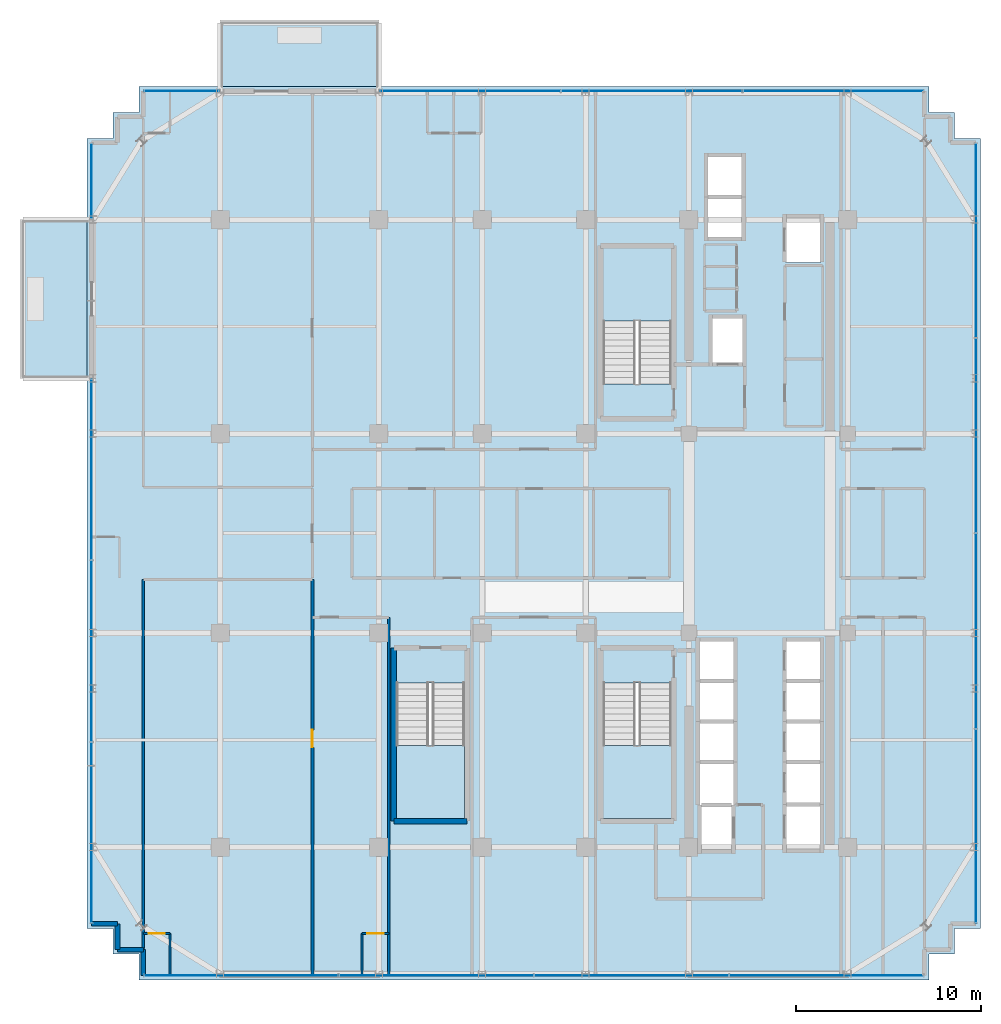
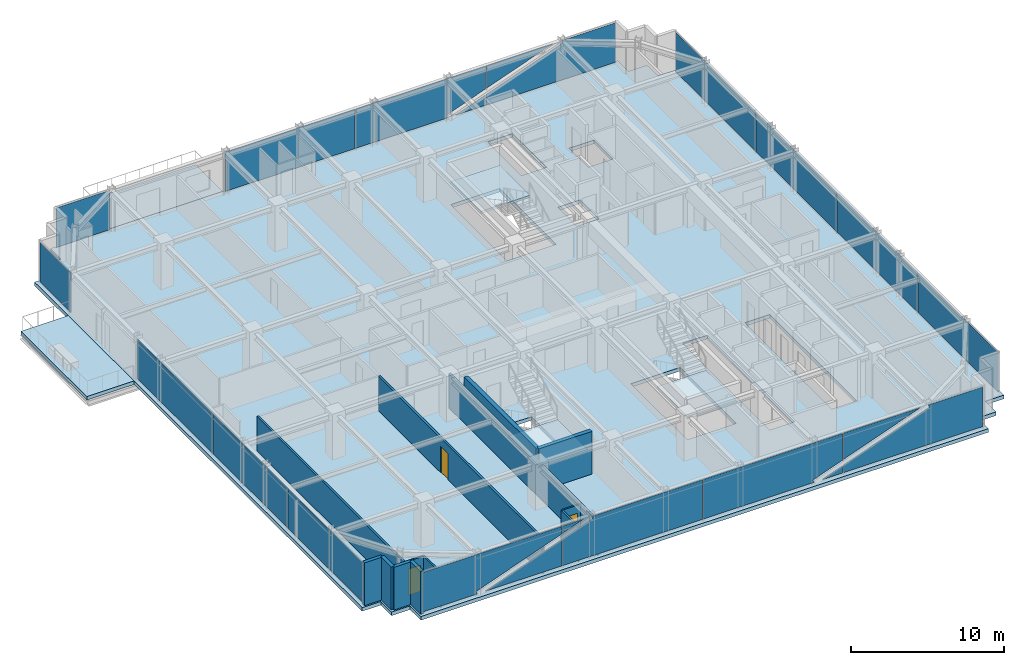
# One storey, part 28 of 36: 16 plates, 13 walls, 6 slabs, 3 doors, 3 openings, 9 elements without a shape of their own.
"""IFC4 building model written with IfcOpenShell, lengths in metres."""

import ifcopenshell
import ifcopenshell.guid

model = None  # the IFC model being written
_history = None  # IfcOwnerHistory: only IFC2X3 demands one
_inside = {}  # id of a spatial element -> (the spatial element, [elements in it])
_under = {}  # id of a project, library or spatial element -> (it, [spatial elements below it])
_declared = {}  # id of a project -> (the project, [libraries it declares])
_typed = {}  # id of a type object -> (the type object, [elements of that type])
_made_of = {}  # id of a material, layer set ... -> (it, [elements and type objects made of it])


def new_model(schema):
    """Start an empty IFC model of exactly this schema.

    Asked for "IFC4X3", IfcOpenShell would pick the latest addendum, in which some entities
    have other attributes; the version numbers below select the first issue.
    IFC2X3 requires an IfcOwnerHistory on every rooted entity: one is made here for all.
    """
    global model, _history
    if schema == "IFC4X3":
        model = ifcopenshell.file(schema_version=(4, 3, 0, 0))
    else:
        model = ifcopenshell.file(schema=schema)
    _inside.clear()
    _under.clear()
    _declared.clear()
    _typed.clear()
    _made_of.clear()
    _history = None
    if model.schema == "IFC2X3":
        org = make("IfcOrganization", Name="unknown")
        user = make(
            "IfcPersonAndOrganization",
            ThePerson=make("IfcPerson", FamilyName="unknown"),
            TheOrganization=org,
        )
        app = make(
            "IfcApplication",
            ApplicationDeveloper=org,
            Version="unknown",
            ApplicationFullName="unknown",
            ApplicationIdentifier="unknown",
        )
        _history = make(
            "IfcOwnerHistory",
            OwningUser=user,
            OwningApplication=app,
            ChangeAction="ADDED",
            CreationDate=0,
        )
    return model


def make(cls, **values):
    """One entity of the class cls with the attributes given. An attribute that is None is left unset."""
    return model.create_entity(
        cls, **{name: value for name, value in values.items() if value is not None}
    )


def rooted(cls, **values):
    """An entity with a GlobalId (a new one), such as an element, a storey or a relation."""
    return make(cls, GlobalId=ifcopenshell.guid.new(), OwnerHistory=_history, **values)


def si_unit(unit_type, name, prefix=None):
    """IfcSIUnit, for example si_unit("LENGTHUNIT", "METRE", prefix="MILLI")."""
    return make("IfcSIUnit", UnitType=unit_type, Prefix=prefix, Name=name)


def assignment(units):
    """IfcUnitAssignment: the units of a project."""
    return None if units is None else make("IfcUnitAssignment", Units=units)


def point(xyz):
    """IfcCartesianPoint."""
    return None if xyz is None else make("IfcCartesianPoint", Coordinates=xyz)


def direction(xyz):
    """IfcDirection."""
    return None if xyz is None else make("IfcDirection", DirectionRatios=xyz)


def frame(location, z_axis=None, x_axis=None):
    """IfcAxis2Placement3D, a coordinate frame: its origin and axes. An axis left out is left unset."""
    return make(
        "IfcAxis2Placement3D",
        Location=point(location),
        Axis=direction(z_axis),
        RefDirection=direction(x_axis),
    )


def frame_2d(location, x_axis=None):
    """IfcAxis2Placement2D, a coordinate frame in the plane: its origin and x axis."""
    return make(
        "IfcAxis2Placement2D", Location=point(location), RefDirection=direction(x_axis)
    )


def origin():
    """The frame at (0, 0, 0) with its axes left unset."""
    return frame((0.0, 0.0, 0.0))


def origin_2d():
    """The frame at (0, 0) in the plane with its x axis left unset."""
    return frame_2d((0.0, 0.0))


def place(relative_to, where):
    """IfcLocalPlacement: puts the frame where relative to a parent placement (None: the world)."""
    return make(
        "IfcLocalPlacement", PlacementRelTo=relative_to, RelativePlacement=where
    )


def context(
    kind, dimensions, precision=None, world=None, true_north=None, identifier=None
):
    """IfcGeometricRepresentationContext, for example the 3D "Model" context."""
    return make(
        "IfcGeometricRepresentationContext",
        ContextIdentifier=identifier,
        ContextType=kind,
        CoordinateSpaceDimension=dimensions,
        Precision=precision,
        WorldCoordinateSystem=world,
        TrueNorth=true_north,
    )


def subcontext(parent, identifier, kind, view, scale=None):
    """IfcGeometricRepresentationSubContext, for example "Body" below "Model"."""
    return make(
        "IfcGeometricRepresentationSubContext",
        ContextIdentifier=identifier,
        ContextType=kind,
        ParentContext=parent,
        TargetScale=scale,
        TargetView=view,
    )


def project(units=None, contexts=None):
    """IfcProject with its units and contexts."""
    return rooted(
        "IfcProject",
        Name="project",
        RepresentationContexts=contexts,
        UnitsInContext=assignment(units),
    )


def spatial(cls, under=None, at=None, **own):
    """A site, building, storey or space (cls), placed at a placement, below another one or the project."""
    s = rooted(cls, ObjectPlacement=at, **own)
    if under is not None:
        _under.setdefault(under.id(), (under, []))[1].append(s)
    return s


def polyline(points):
    """IfcPolyline through the points."""
    return make("IfcPolyline", Points=[point(p) for p in points])


def profile(cls, at=None, kind="AREA", **sizes):
    """A parametric profile (cls). Its sizes go by their IFC names, for example OverallWidth=200.0."""
    return make(cls, ProfileType=kind, Position=at, **sizes)


def rectangle(**sizes):
    """IfcRectangleProfileDef."""
    return profile("IfcRectangleProfileDef", **sizes)


def outline(outer, holes=None, kind="AREA"):
    """IfcArbitraryClosedProfileDef: a profile drawn as a closed curve; with holes, ...WithVoids."""
    if holes is None:
        return make("IfcArbitraryClosedProfileDef", ProfileType=kind, OuterCurve=outer)
    return make(
        "IfcArbitraryProfileDefWithVoids",
        ProfileType=kind,
        OuterCurve=outer,
        InnerCurves=holes,
    )


def extrude(swept, where, along, depth):
    """IfcExtrudedAreaSolid: the profile swept, set in the frame where, extruded along a direction by depth."""
    return make(
        "IfcExtrudedAreaSolid",
        SweptArea=swept,
        Position=where,
        ExtrudedDirection=direction(along),
        Depth=depth,
    )


def shape(context_of_items, identifier, shape_type, items):
    """IfcShapeRepresentation: the items that make up one representation, for example the "Body"."""
    return make(
        "IfcShapeRepresentation",
        ContextOfItems=context_of_items,
        RepresentationIdentifier=identifier,
        RepresentationType=shape_type,
        Items=items,
    )


def source(mapping_origin, context_of_items, identifier, shape_type, items):
    """IfcRepresentationMap: a shape defined once, which mapped items show again and again."""
    return make(
        "IfcRepresentationMap",
        MappingOrigin=mapping_origin,
        MappedRepresentation=shape(context_of_items, identifier, shape_type, items),
    )


def transform(
    local_origin,
    x_axis=None,
    y_axis=None,
    z_axis=None,
    scale=None,
    scale2=None,
    scale3=None,
    uniform=True,
):
    """IfcCartesianTransformationOperator3D, or its non-uniform kind. x_axis, y_axis, z_axis: its Axis1, 2, 3."""
    if uniform:
        return make(
            "IfcCartesianTransformationOperator3D",
            Axis1=direction(x_axis),
            Axis2=direction(y_axis),
            LocalOrigin=point(local_origin),
            Scale=scale,
            Axis3=direction(z_axis),
        )
    return make(
        "IfcCartesianTransformationOperator3DnonUniform",
        Axis1=direction(x_axis),
        Axis2=direction(y_axis),
        LocalOrigin=point(local_origin),
        Scale=scale,
        Axis3=direction(z_axis),
        Scale2=scale2,
        Scale3=scale3,
    )


def mapped(mapping_source, mapping_target):
    """IfcMappedItem: shows the shape of a source again, moved by a transform."""
    return make(
        "IfcMappedItem", MappingSource=mapping_source, MappingTarget=mapping_target
    )


def material(Name=None, Category=None):
    """IfcMaterial."""
    return make("IfcMaterial", Name=Name, Category=Category)


def layer(
    of_material, thickness, ventilated=None, Name=None, Category=None, Priority=None
):
    """IfcMaterialLayer: one layer of a wall or slab, of a material (None: an air gap)."""
    return make(
        "IfcMaterialLayer",
        Material=of_material,
        LayerThickness=thickness,
        IsVentilated=ventilated,
        Name=Name,
        Category=Category,
        Priority=Priority,
    )


def layer_set(layers, Name=None):
    """IfcMaterialLayerSet."""
    return make("IfcMaterialLayerSet", MaterialLayers=layers, LayerSetName=Name)


def made_of(thing, what):
    """Note that an element or type object is made of a material, layer set ...; save() writes the relation."""
    if what is not None:
        _made_of.setdefault(what.id(), (what, []))[1].append(thing)
    return thing


def type_object(cls, material=None, **own):
    """A type object (cls), such as IfcWallType, which elements share."""
    return made_of(rooted(cls, **own), material)


def element(
    cls,
    number,
    at=None,
    inside=None,
    cuts=None,
    type_object=None,
    material=None,
    context=None,
    identifier="Body",
    shape_type=None,
    held_by="IfcProductDefinitionShape",
    body=None,
    shapes=None,
    **own,
):
    """One element of the class cls, such as IfcWall. Its Tag is "e" and its number.

    at: its placement. inside: the storey or other place that contains it. cuts: it is an
    opening in that element (IfcRelVoidsElement). A single representation is given by context,
    identifier, shape_type and body (its items); several are given by shapes. held_by: the class
    of the entity that holds the representations. save() writes the other relations.
    """
    e = rooted(cls, Tag="e%d" % number, ObjectPlacement=at, **own)
    if body is not None:
        shapes = [shape(context, identifier, shape_type, body)]
    if shapes is not None:
        e.Representation = make(held_by, Representations=shapes)
    if inside is not None:
        _inside.setdefault(inside.id(), (inside, []))[1].append(e)
    if cuts is not None:
        rooted(
            "IfcRelVoidsElement", RelatingBuildingElement=cuts, RelatedOpeningElement=e
        )
    if type_object is not None:
        _typed.setdefault(type_object.id(), (type_object, []))[1].append(e)
    return made_of(e, material)


def fill(opening, filler):
    """IfcRelFillsElement: the door or window that sits in an opening."""
    return rooted(
        "IfcRelFillsElement",
        RelatingOpeningElement=opening,
        RelatedBuildingElement=filler,
    )


def aggregate(whole, parts):
    """IfcRelAggregates: a whole, such as a stair, and the parts it consists of."""
    return rooted("IfcRelAggregates", RelatingObject=whole, RelatedObjects=parts)


def save(model, path):
    """Write the relations noted so far, then the file.

    IfcRelAggregates (storeys below a building ...), IfcRelContainedInSpatialStructure (elements
    in a storey), IfcRelDefinesByType, IfcRelAssociatesMaterial and IfcRelDeclares: one each for
    every whole, place, type object, material and project.
    """
    for whole, parts in _under.values():
        aggregate(whole, parts)
    for where, things in _inside.values():
        rooted(
            "IfcRelContainedInSpatialStructure",
            RelatedElements=things,
            RelatingStructure=where,
        )
    for kind, things in _typed.values():
        rooted("IfcRelDefinesByType", RelatedObjects=things, RelatingType=kind)
    for what, things in _made_of.values():
        rooted("IfcRelAssociatesMaterial", RelatedObjects=things, RelatingMaterial=what)
    for by, libraries in _declared.values():
        rooted("IfcRelDeclares", RelatingContext=by, RelatedDefinitions=libraries)
    model.write(path)


model = new_model("IFC4")

# Units and contexts
model_context = context("Model", 3, precision=1e-05, world=origin(), true_north=direction((0.0, 1.0)))
body_context = subcontext(model_context, "Body", "Model", "MODEL_VIEW")
ifc_project = project(units=[si_unit("LENGTHUNIT", "METRE"), si_unit("AREAUNIT", "SQUARE_METRE"), si_unit("VOLUMEUNIT", "CUBIC_METRE"), si_unit("PLANEANGLEUNIT", "RADIAN"), si_unit("MASSUNIT", "GRAM", prefix="KILO")], contexts=[model_context])

# Site, building, storey
site_placement = place(None, origin())
site = spatial("IfcSite", under=ifc_project, at=site_placement, CompositionType="ELEMENT")
building_placement = place(site_placement, origin())
building = spatial("IfcBuilding", under=site, at=building_placement, Name="Nahalor Promenade Grand Hotel", CompositionType="ELEMENT")
storey_placement = place(building_placement, frame((0.0, 0.0, 212.300048828125)))
storey = spatial("IfcBuildingStorey", under=building, at=storey_placement, Name="L54", CompositionType="ELEMENT", Elevation=212.300048828125)

# Curtain wall, plates
ifc_material_1 = material(Name="Anodised Bronze Aluminium EN AW-6063 T6", Category="aluminium")
curtain_wall_type = type_object("IfcCurtainWallType", Name="CW2 Typical Hotel Flush Bronze Unitised Curtain Wall", PredefinedType="USERDEFINED", material=ifc_material_1)
curtain_wall_1_placement = place(storey_placement, origin())
curtain_wall_1 = element("IfcCurtainWall", 1, at=curtain_wall_1_placement, inside=storey, type_object=curtain_wall_type, Name="L54 Curtain Wall CW-L54-S-1", ObjectType="UNITISED_CURTAIN_WALL", PredefinedType="USERDEFINED")
ifc_material_2 = material(Name="Low-E Laminated Solar Glass", Category="glass")
ifc_layer_1 = layer(ifc_material_2, 0.028076171875)
ifc_layer_set_1 = layer_set([ifc_layer_1], Name="Low-E Laminated Solar Glass")
plate_type = type_object("IfcPlateType", Name="CWP2 Bronze Low-E Vision IGU 28mm", PredefinedType="CURTAIN_PANEL", material=ifc_layer_set_1)
plate_1_placement = place(storey_placement, frame((-15.853759765625, -23.9599609375, 0.1298828125), z_axis=(0.0, 0.0, 1.0), x_axis=(1.0, 0.0, 0.0)))
plate_1 = element("IfcPlate", 2, at=plate_1_placement, type_object=plate_type, Name="CW-L54-S-1 Glazing Panel 0-0", PredefinedType="CURTAIN_PANEL", context=body_context, shape_type="SweptSolid", body=[
    extrude(outline(polyline([(-5.2412109375, 3.14990234375), (-5.2412109375, 0.0), (-1.16552734375, 0.0), (-1.246337890625, 0.22314453125), (5.2412109375, 2.569091796875), (5.2412109375, 3.14990234375), (-5.2412109375, 3.14990234375)])), frame((0.0, 0.01416015625, 0.0), z_axis=(0.0, -1.0, 0.0), x_axis=(1.0, 0.0, 0.0)), (0.0, 0.0, 1.0), 0.028076171875),
    extrude(outline(polyline([(-0.5400390625, 0.0), (5.2412109375, 0.0), (5.2412109375, 2.090576171875), (-0.5400390625, 0.0)])), frame((0.0, 0.01416015625, 0.0), z_axis=(0.0, -1.0, 0.0), x_axis=(1.0, 0.0, 0.0)), (0.0, 0.0, 1.0), 0.028076171875),
])
plate_2_placement = place(storey_placement, frame((-5.2900390625, -23.9599609375, 0.1298828125), z_axis=(0.0, 0.0, 1.0), x_axis=(1.0, 0.0, 0.0)))
plate_2 = element("IfcPlate", 3, at=plate_2_placement, type_object=plate_type, Name="CW-L54-S-1 Glazing Panel 1-0", PredefinedType="CURTAIN_PANEL", context=body_context, shape_type="SweptSolid", body=[
    extrude(outline(polyline([(5.257568359375, 0.0), (5.257568359375, 3.14990234375), (-3.090576171875, 3.14990234375), (-3.010009765625, 2.927001953125), (-5.257568359375, 2.1142578125), (-5.257568359375, 0.0), (5.257568359375, 0.0)])), frame((0.0, 0.01416015625, 0.0), z_axis=(0.0, -1.0, 0.0), x_axis=(1.0, 0.0, 0.0)), (0.0, 0.0, 1.0), 0.028076171875),
    extrude(outline(polyline([(-3.71630859375, 3.14990234375), (-5.257568359375, 3.14990234375), (-5.257568359375, 2.5927734375), (-3.71630859375, 3.14990234375)])), frame((0.0, 0.01416015625, 0.0), z_axis=(0.0, -1.0, 0.0), x_axis=(1.0, 0.0, 0.0)), (0.0, 0.0, 1.0), 0.028076171875),
])
plate_3_placement = place(storey_placement, frame((5.2900390625, -23.9599609375, 0.1298828125), z_axis=(0.0, 0.0, 1.0), x_axis=(1.0, 0.0, 0.0)))
plate_3 = element("IfcPlate", 4, at=plate_3_placement, type_object=plate_type, Name="CW-L54-S-1 Glazing Panel 2-0", PredefinedType="CURTAIN_PANEL", context=body_context, shape_type="SweptSolid", body=[
    extrude(outline(polyline([(-5.257568359375, 3.14990234375), (-5.257568359375, 0.0), (3.090576171875, 0.0), (3.010009765625, 0.22314453125), (5.257568359375, 1.035888671875), (5.257568359375, 3.14990234375), (-5.257568359375, 3.14990234375)])), frame((0.0, 0.01416015625, 0.0), z_axis=(0.0, -1.0, 0.0), x_axis=(1.0, 0.0, 0.0)), (0.0, 0.0, 1.0), 0.028076171875),
    extrude(outline(polyline([(3.71630859375, 0.0), (5.257568359375, 0.0), (5.257568359375, 0.557373046875), (3.71630859375, 0.0)])), frame((0.0, 0.01416015625, 0.0), z_axis=(0.0, -1.0, 0.0), x_axis=(1.0, 0.0, 0.0)), (0.0, 0.0, 1.0), 0.028076171875),
])
plate_4_placement = place(storey_placement, frame((15.853759765625, -23.9599609375, 0.1298828125), z_axis=(0.0, 0.0, 1.0), x_axis=(1.0, 0.0, 0.0)))
plate_4 = element("IfcPlate", 5, at=plate_4_placement, type_object=plate_type, Name="CW-L54-S-1 Glazing Panel 3-0", PredefinedType="CURTAIN_PANEL", context=body_context, shape_type="SweptSolid", body=[
    extrude(outline(polyline([(5.2412109375, 0.0), (5.2412109375, 3.14990234375), (1.16552734375, 3.14990234375), (1.246337890625, 2.927001953125), (-5.2412109375, 0.580810546875), (-5.2412109375, 0.0), (5.2412109375, 0.0)])), frame((0.0, 0.01416015625, 0.0), z_axis=(0.0, -1.0, 0.0), x_axis=(1.0, 0.0, 0.0)), (0.0, 0.0, 1.0), 0.028076171875),
    extrude(outline(polyline([(0.5400390625, 3.14990234375), (-5.2412109375, 3.14990234375), (-5.2412109375, 1.059326171875), (0.5400390625, 3.14990234375)])), frame((0.0, 0.01416015625, 0.0), z_axis=(0.0, -1.0, 0.0), x_axis=(1.0, 0.0, 0.0)), (0.0, 0.0, 1.0), 0.028076171875),
])
aggregate(curtain_wall_1, [plate_1, plate_2, plate_3, plate_4])

curtain_wall_2_placement = place(storey_placement, origin())
curtain_wall_2 = element("IfcCurtainWall", 6, at=curtain_wall_2_placement, inside=storey, type_object=curtain_wall_type, Name="L54 Curtain Wall CW-L54-N-3", ObjectType="UNITISED_CURTAIN_WALL", PredefinedType="USERDEFINED")
plate_5_placement = place(storey_placement, frame((6.3798828125, 23.9599609375, 0.1298828125), z_axis=(0.0, 0.0, 1.0), x_axis=(1.0, 0.0, 0.0)))
plate_5 = element("IfcPlate", 7, at=plate_5_placement, type_object=plate_type, Name="CW-L54-N-3 Glazing Panel 1-0", PredefinedType="CURTAIN_PANEL", context=body_context, shape_type="SweptSolid", body=[
    extrude(outline(polyline([(-4.894287109375, 3.14990234375), (-4.894287109375, 0.0), (2.000732421875, 0.0), (1.919921875, 0.22314453125), (4.894287109375, 1.298583984375), (4.894287109375, 3.14990234375), (-4.894287109375, 3.14990234375)])), frame((0.0, 0.01416015625, 0.0), z_axis=(0.0, -1.0, 0.0), x_axis=(1.0, 0.0, 0.0)), (0.0, 0.0, 1.0), 0.028076171875),
    extrude(outline(polyline([(2.626220703125, 0.0), (4.894287109375, 0.0), (4.894287109375, 0.820068359375), (2.626220703125, 0.0)])), frame((0.0, 0.01416015625, 0.0), z_axis=(0.0, -1.0, 0.0), x_axis=(1.0, 0.0, 0.0)), (0.0, 0.0, 1.0), 0.028076171875),
])
plate_6_placement = place(storey_placement, frame((16.217041015625, 23.9599609375, 0.1298828125), z_axis=(0.0, 0.0, 1.0), x_axis=(1.0, 0.0, 0.0)))
plate_6 = element("IfcPlate", 8, at=plate_6_placement, type_object=plate_type, Name="CW-L54-N-3 Glazing Panel 2-0", PredefinedType="CURTAIN_PANEL", context=body_context, shape_type="SweptSolid", body=[
    extrude(outline(polyline([(4.8779296875, 0.0), (4.8779296875, 3.14990234375), (0.80224609375, 3.14990234375), (0.883056640625, 2.927001953125), (-4.8779296875, 0.843505859375), (-4.8779296875, 0.0), (4.8779296875, 0.0)])), frame((0.0, 0.01416015625, 0.0), z_axis=(0.0, -1.0, 0.0), x_axis=(1.0, 0.0, 0.0)), (0.0, 0.0, 1.0), 0.028076171875),
    extrude(outline(polyline([(0.176513671875, 3.14990234375), (-4.8779296875, 3.14990234375), (-4.8779296875, 1.322265625), (0.176513671875, 3.14990234375)])), frame((0.0, 0.01416015625, 0.0), z_axis=(0.0, -1.0, 0.0), x_axis=(1.0, 0.0, 0.0)), (0.0, 0.0, 1.0), 0.028076171875),
])

# Stair, slab
ifc_material_3 = material(Name="Concrete B-50 (C40/50)", Category="concrete")
stair_type_1 = type_object("IfcStairType", Name="Stair-ST1", PredefinedType="HALF_TURN_STAIR", material=ifc_material_3)
stair_1_placement = place(storey_placement, origin())
stair_1 = element("IfcStair", 9, at=stair_1_placement, inside=storey, type_object=stair_type_1, Name="L54 ST1", PredefinedType="HALF_TURN_STAIR")
ifc_layer_2 = layer(ifc_material_3, 0.199951171875)
ifc_layer_set_2 = layer_set([ifc_layer_2], Name="Concrete B-50 (C40/50)")
slab_type_1 = type_object("IfcSlabType", Name="Landing-ST1", PredefinedType="LANDING", material=ifc_layer_set_2)
slab_1_placement = place(storey_placement, frame((0.0, 0.0, 1.64990234375)))
slab_1 = element("IfcSlab", 10, at=slab_1_placement, type_object=slab_type_1, Name="ST1 landing 1", PredefinedType="LANDING", context=body_context, shape_type="SweptSolid", body=[
    extrude(outline(polyline([(7.449951171875, 11.5), (7.449951171875, 15.449951171875), (3.75, 15.449951171875), (3.75, 11.5), (7.449951171875, 11.5)])), origin(), (0.0, 0.0, 1.0), 0.199951171875),
])
aggregate(stair_1, [slab_1])

stair_type_2 = type_object("IfcStairType", Name="Stair-ST2", PredefinedType="HALF_TURN_STAIR", material=ifc_material_3)
stair_2_placement = place(storey_placement, origin())
stair_2 = element("IfcStair", 11, at=stair_2_placement, inside=storey, type_object=stair_type_2, Name="L54 ST2", PredefinedType="HALF_TURN_STAIR")
ifc_layer_3 = layer(ifc_material_3, 0.2099609375)
ifc_layer_set_3 = layer_set([ifc_layer_3], Name="Concrete B-50 (C40/50)")
slab_type_2 = type_object("IfcSlabType", Name="Landing-ST2", PredefinedType="LANDING", material=ifc_layer_set_3)
slab_2_placement = place(storey_placement, frame((0.0, 0.0, 1.639892578125)))
slab_2 = element("IfcSlab", 12, at=slab_2_placement, type_object=slab_type_2, Name="ST2 landing 1", PredefinedType="LANDING", context=body_context, shape_type="SweptSolid", body=[
    extrude(outline(polyline([(3.75, -11.5), (3.75, -15.449951171875), (7.449951171875, -15.449951171875), (7.449951171875, -11.5), (3.75, -11.5)])), origin(), (0.0, 0.0, 1.0), 0.2099609375),
])
aggregate(stair_2, [slab_2])

stair_type_3 = type_object("IfcStairType", Name="Stair-ST3", PredefinedType="HALF_TURN_STAIR", material=ifc_material_3)
stair_3_placement = place(storey_placement, origin())
stair_3 = element("IfcStair", 13, at=stair_3_placement, inside=storey, type_object=stair_type_3, Name="L54 ST3", PredefinedType="HALF_TURN_STAIR")
ifc_layer_4 = layer(ifc_material_3, 0.219970703125)
ifc_layer_set_4 = layer_set([ifc_layer_4], Name="Concrete B-50 (C40/50)")
slab_type_3 = type_object("IfcSlabType", Name="Landing-ST3", PredefinedType="LANDING", material=ifc_layer_set_4)
slab_3_placement = place(storey_placement, frame((0.0, 0.0, 1.6298828125)))
slab_3 = element("IfcSlab", 14, at=slab_3_placement, type_object=slab_type_3, Name="ST3 landing 1", PredefinedType="LANDING", context=body_context, shape_type="SweptSolid", body=[
    extrude(outline(polyline([(-7.449951171875, -11.5), (-7.449951171875, -15.449951171875), (-3.75, -15.449951171875), (-3.75, -11.5), (-7.449951171875, -11.5)])), origin(), (0.0, 0.0, 1.0), 0.219970703125),
])
aggregate(stair_3, [slab_3])

# Slabs
ifc_layer_5 = layer(ifc_material_3, 0.280029296875)
ifc_layer_set_5 = layer_set([ifc_layer_5], Name="Concrete B-50 (C40/50)")
slab_type_4 = type_object("IfcSlabType", Name="Slab-Balcony-280", PredefinedType="FLOOR", material=ifc_layer_set_5)
slab_4_placement = place(storey_placement, frame((0.0, 0.0, -0.280029296875)))
element("IfcSlab", 15, at=slab_4_placement, inside=storey, type_object=slab_type_4, Name="L54 Cantilevered Planted Balcony 1", PredefinedType="FLOOR", context=body_context, shape_type="SweptSolid", body=[
    extrude(outline(polyline([(-17.0, 24.199951171875), (-8.39990234375, 24.199951171875), (-8.39990234375, 27.739990234375), (-17.0, 27.739990234375), (-17.0, 24.199951171875)])), origin(), (0.0, 0.0, 1.0), 0.280029296875),
])
slab_5_placement = place(storey_placement, frame((0.0, 0.0, -0.280029296875)))
element("IfcSlab", 16, at=slab_5_placement, inside=storey, type_object=slab_type_4, Name="L54 Cantilevered Planted Balcony 2", PredefinedType="FLOOR", context=body_context, shape_type="SweptSolid", body=[
    extrude(outline(polyline([(-27.77001953125, 8.39990234375), (-24.199951171875, 8.39990234375), (-24.199951171875, 17.0), (-27.77001953125, 17.0), (-27.77001953125, 8.39990234375)])), origin(), (0.0, 0.0, 1.0), 0.280029296875),
])
ifc_layer_6 = layer(ifc_material_3, 0.2900390625)
ifc_layer_set_6 = layer_set([ifc_layer_6], Name="Concrete B-50 (C40/50)")
slab_type_5 = type_object("IfcSlabType", Name="Slab-TowerZ4-290", PredefinedType="FLOOR", material=ifc_layer_set_6)
slab_6_placement = place(storey_placement, frame((0.0, 0.0, -0.2900390625)))
element("IfcSlab", 17, at=slab_6_placement, inside=storey, type_object=slab_type_5, Name="L54 Suspended Structural Floor Slab", PredefinedType="FLOOR", context=body_context, shape_type="SweptSolid", body=[
    extrude(outline(polyline([(-21.39990234375, -24.199951171875), (21.39990234375, -24.199951171875), (21.39990234375, -22.800048828125), (22.800048828125, -22.800048828125), (22.800048828125, -21.39990234375), (24.199951171875, -21.39990234375), (24.199951171875, 21.39990234375), (22.800048828125, 21.39990234375), (22.800048828125, 22.800048828125), (21.39990234375, 22.800048828125), (21.39990234375, 24.199951171875), (-21.39990234375, 24.199951171875), (-21.39990234375, 22.800048828125), (-22.800048828125, 22.800048828125), (-22.800048828125, 21.39990234375), (-24.199951171875, 21.39990234375), (-24.199951171875, -21.39990234375), (-22.800048828125, -21.39990234375), (-22.800048828125, -22.800048828125), (-21.39990234375, -22.800048828125), (-21.39990234375, -24.199951171875)]), holes=[polyline([(3.75, 8.10009765625), (7.449951171875, 8.10009765625), (7.449951171875, 15.449951171875), (3.75, 15.449951171875), (3.75, 8.10009765625)]), polyline([(3.75, -15.449951171875), (7.449951171875, -15.449951171875), (7.449951171875, -8.10009765625), (3.75, -8.10009765625), (3.75, -15.449951171875)]), polyline([(-7.449951171875, -15.449951171875), (-3.75, -15.449951171875), (-3.75, -8.10009765625), (-7.449951171875, -8.10009765625), (-7.449951171875, -15.449951171875)]), polyline([(13.659912109375, -17.139892578125), (15.5400390625, -17.139892578125), (15.5400390625, -5.81005859375), (13.659912109375, -5.81005859375), (13.659912109375, -17.139892578125)]), polyline([(8.9599609375, -17.18994140625), (10.840087890625, -17.18994140625), (10.840087890625, -5.81005859375), (8.9599609375, -5.81005859375), (8.9599609375, -17.18994140625)]), polyline([(9.409912109375, 16.010009765625), (11.2900390625, 16.010009765625), (11.2900390625, 20.43994140625), (9.409912109375, 20.43994140625), (9.409912109375, 16.010009765625)]), polyline([(9.659912109375, 9.2099609375), (11.340087890625, 9.2099609375), (11.340087890625, 11.68994140625), (9.659912109375, 11.68994140625), (9.659912109375, 9.2099609375)]), polyline([(13.659912109375, 14.659912109375), (15.5400390625, 14.659912109375), (15.5400390625, 17.139892578125), (13.659912109375, 17.139892578125), (13.659912109375, 14.659912109375)])]), origin(), (0.0, 0.0, 1.0), 0.2900390625),
])

# Curtain wall, plates
curtain_wall_3_placement = place(storey_placement, origin())
curtain_wall_3 = element("IfcCurtainWall", 18, at=curtain_wall_3_placement, inside=storey, type_object=curtain_wall_type, Name="L54 Curtain Wall CW-L54-E-1", ObjectType="UNITISED_CURTAIN_WALL", PredefinedType="USERDEFINED")
shared_shape_1 = source(origin(), body_context, "Body", "SweptSolid", [
    extrude(rectangle(XDim=10.482421875, YDim=0.028076171875, at=origin_2d()), origin(), (0.0, 0.0, 1.0), 3.14990234375),
])
plate_7_placement = place(storey_placement, frame((23.9599609375, -15.853759765625, 0.1298828125), z_axis=(0.0, 0.0, 1.0), x_axis=(0.0, 1.0, 0.0)))
plate_7 = element("IfcPlate", 19, at=plate_7_placement, type_object=plate_type, Name="CW-L54-E-1 Glazing Panel 0-0", PredefinedType="CURTAIN_PANEL", context=body_context, shape_type="MappedRepresentation", body=[
    mapped(shared_shape_1, transform((0.0, 0.0, 0.0), scale=1.0)),
])
plate_8_placement = place(storey_placement, frame((23.9599609375, 15.853759765625, 0.1298828125), z_axis=(0.0, 0.0, 1.0), x_axis=(0.0, 1.0, 0.0)))
plate_8 = element("IfcPlate", 20, at=plate_8_placement, type_object=plate_type, Name="CW-L54-E-1 Glazing Panel 3-0", PredefinedType="CURTAIN_PANEL", context=body_context, shape_type="MappedRepresentation", body=[
    mapped(shared_shape_1, transform((0.0, 0.0, 0.0), scale=1.0)),
])
shared_shape_2 = source(origin(), body_context, "Body", "SweptSolid", [
    extrude(rectangle(XDim=10.514892578125, YDim=0.028076171875, at=origin_2d()), origin(), (0.0, 0.0, 1.0), 3.14990234375),
])
plate_9_placement = place(storey_placement, frame((23.9599609375, -5.2900390625, 0.1298828125), z_axis=(0.0, 0.0, 1.0), x_axis=(0.0, 1.0, 0.0)))
plate_9 = element("IfcPlate", 21, at=plate_9_placement, type_object=plate_type, Name="CW-L54-E-1 Glazing Panel 1-0", PredefinedType="CURTAIN_PANEL", context=body_context, shape_type="MappedRepresentation", body=[
    mapped(shared_shape_2, transform((0.0, 0.0, 0.0), scale=1.0)),
])
plate_10_placement = place(storey_placement, frame((23.9599609375, 5.2900390625, 0.1298828125), z_axis=(0.0, 0.0, 1.0), x_axis=(0.0, 1.0, 0.0)))
plate_10 = element("IfcPlate", 22, at=plate_10_placement, type_object=plate_type, Name="CW-L54-E-1 Glazing Panel 2-0", PredefinedType="CURTAIN_PANEL", context=body_context, shape_type="MappedRepresentation", body=[
    mapped(shared_shape_2, transform((0.0, 0.0, 0.0), scale=1.0)),
])
aggregate(curtain_wall_3, [plate_7, plate_9, plate_10, plate_8])

# Curtain wall, plate
curtain_wall_4_placement = place(storey_placement, origin())
curtain_wall_4 = element("IfcCurtainWall", 23, at=curtain_wall_4_placement, inside=storey, type_object=curtain_wall_type, Name="L54 Curtain Wall CW-L54-N-1", ObjectType="UNITISED_CURTAIN_WALL", PredefinedType="USERDEFINED")
shared_shape_3 = source(origin(), body_context, "Body", "SweptSolid", [
    extrude(rectangle(XDim=4.030029296875, YDim=0.028076171875, at=origin_2d()), origin(), (0.0, 0.0, 1.0), 3.14990234375),
])
plate_11_placement = place(storey_placement, frame((-19.080078125, 23.9599609375, 0.1298828125), z_axis=(0.0, 0.0, 1.0), x_axis=(1.0, 0.0, 0.0)))
plate_11 = element("IfcPlate", 24, at=plate_11_placement, type_object=plate_type, Name="CW-L54-N-1 Glazing Panel 0-0", PredefinedType="CURTAIN_PANEL", context=body_context, shape_type="MappedRepresentation", body=[
    mapped(shared_shape_3, transform((0.0, 0.0, 0.0), scale=1.0)),
])
aggregate(curtain_wall_4, [plate_11])

curtain_wall_5_placement = place(storey_placement, origin())
curtain_wall_5 = element("IfcCurtainWall", 25, at=curtain_wall_5_placement, inside=storey, type_object=curtain_wall_type, Name="L54 Curtain Wall CW-L54-W-3", ObjectType="UNITISED_CURTAIN_WALL", PredefinedType="USERDEFINED")
plate_12_placement = place(storey_placement, frame((-23.9599609375, 19.080078125, 0.1298828125), z_axis=(0.0, 0.0, 1.0), x_axis=(0.0, 1.0, 0.0)))
plate_12 = element("IfcPlate", 26, at=plate_12_placement, type_object=plate_type, Name="CW-L54-W-3 Glazing Panel 0-0", PredefinedType="CURTAIN_PANEL", context=body_context, shape_type="MappedRepresentation", body=[
    mapped(shared_shape_3, transform((0.0, 0.0, 0.0), scale=1.0)),
])
aggregate(curtain_wall_5, [plate_12])

# Plate
shared_shape_4 = source(origin(), body_context, "Body", "SweptSolid", [
    extrude(rectangle(XDim=9.755859375, YDim=0.028076171875, at=origin_2d()), origin(), (0.0, 0.0, 1.0), 3.14990234375),
])
plate_13_placement = place(storey_placement, frame((-3.45703125, 23.9599609375, 0.1298828125), z_axis=(0.0, 0.0, 1.0), x_axis=(1.0, 0.0, 0.0)))
plate_13 = element("IfcPlate", 27, at=plate_13_placement, type_object=plate_type, Name="CW-L54-N-3 Glazing Panel 0-0", PredefinedType="CURTAIN_PANEL", context=body_context, shape_type="MappedRepresentation", body=[
    mapped(shared_shape_4, transform((0.0, 0.0, 0.0), scale=1.0)),
])

aggregate(curtain_wall_2, [plate_13, plate_5, plate_6])

# Curtain wall, plates
curtain_wall_6_placement = place(storey_placement, origin())
curtain_wall_6 = element("IfcCurtainWall", 28, at=curtain_wall_6_placement, inside=storey, type_object=curtain_wall_type, Name="L54 Curtain Wall CW-L54-W-1", ObjectType="UNITISED_CURTAIN_WALL", PredefinedType="USERDEFINED")
plate_14_placement = place(storey_placement, frame((-23.9599609375, -16.217041015625, 0.1298828125), z_axis=(0.0, 0.0, 1.0), x_axis=(0.0, 1.0, 0.0)))
plate_14 = element("IfcPlate", 29, at=plate_14_placement, type_object=plate_type, Name="CW-L54-W-1 Glazing Panel 0-0", PredefinedType="CURTAIN_PANEL", context=body_context, shape_type="MappedRepresentation", body=[
    mapped(shared_shape_4, transform((0.0, 0.0, 0.0), scale=1.0)),
])
plate_15_placement = place(storey_placement, frame((-23.9599609375, 3.45703125, 0.1298828125), z_axis=(0.0, 0.0, 1.0), x_axis=(0.0, 1.0, 0.0)))
plate_15 = element("IfcPlate", 30, at=plate_15_placement, type_object=plate_type, Name="CW-L54-W-1 Glazing Panel 2-0", PredefinedType="CURTAIN_PANEL", context=body_context, shape_type="MappedRepresentation", body=[
    mapped(shared_shape_4, transform((0.0, 0.0, 0.0), scale=1.0)),
])
shared_shape_5 = source(origin(), body_context, "Body", "SweptSolid", [
    extrude(rectangle(XDim=9.788330078125, YDim=0.028076171875, at=origin_2d()), origin(), (0.0, 0.0, 1.0), 3.14990234375),
])
plate_16_placement = place(storey_placement, frame((-23.9599609375, -6.3798828125, 0.1298828125), z_axis=(0.0, 0.0, 1.0), x_axis=(0.0, 1.0, 0.0)))
plate_16 = element("IfcPlate", 31, at=plate_16_placement, type_object=plate_type, Name="CW-L54-W-1 Glazing Panel 1-0", PredefinedType="CURTAIN_PANEL", context=body_context, shape_type="MappedRepresentation", body=[
    mapped(shared_shape_5, transform((0.0, 0.0, 0.0), scale=1.0)),
])
aggregate(curtain_wall_6, [plate_14, plate_16, plate_15])

# Walls
ifc_layer_7 = layer(ifc_material_3, 0.300048828125)
ifc_layer_set_7 = layer_set([ifc_layer_7], Name="Concrete B-50 (C40/50)")
wall_type_1 = type_object("IfcWallType", Name="Wall-ShaftShear-300", PredefinedType="SHEAR", material=ifc_layer_set_7)
shared_shape_6 = source(origin(), body_context, "Body", "SweptSolid", [
    extrude(rectangle(XDim=3.97998046875, YDim=0.300048828125, at=frame_2d((1.989990234375, 0.0))), origin(), (0.0, 0.0, 1.0), 3.409912109375),
])
wall_1_placement = place(storey_placement, frame((-7.590087890625, -15.590087890625, 0.0), z_axis=(0.0, 0.0, 1.0), x_axis=(1.0, 0.0, 0.0)))
element("IfcWall", 32, at=wall_1_placement, inside=storey, type_object=wall_type_1, Name="L54 Exit Stair ST3 Shaft Wall S", PredefinedType="SHEAR", context=body_context, shape_type="MappedRepresentation", body=[
    mapped(shared_shape_6, transform((0.0, 0.0, 0.0), scale=1.0)),
])
shared_shape_7 = source(origin(), body_context, "Body", "SweptSolid", [
    extrude(rectangle(XDim=9.380126953125, YDim=0.300048828125, at=frame_2d((4.68994140625, 0.0))), origin(), (0.0, 0.0, 1.0), 3.409912109375),
])
wall_2_placement = place(storey_placement, frame((-7.590087890625, -15.590087890625, 0.0), z_axis=(0.0, 0.0, 1.0), x_axis=(0.0, 1.0, 0.0)))
element("IfcWall", 33, at=wall_2_placement, inside=storey, type_object=wall_type_1, Name="L54 Exit Stair ST3 Shaft Wall W", PredefinedType="SHEAR", context=body_context, shape_type="MappedRepresentation", body=[
    mapped(shared_shape_7, transform((0.0, 0.0, 0.0), scale=1.0)),
])
ifc_material_4 = material(Name="Concrete B-40 (C32/40)", Category="concrete")
ifc_layer_8 = layer(ifc_material_4, 0.25)
ifc_layer_set_8 = layer_set([ifc_layer_8], Name="Concrete B-40 (C32/40)")
wall_type_2 = type_object("IfcWallType", Name="Wall-BronzePier-250", PredefinedType="STANDARD", material=ifc_layer_set_8)
shared_shape_8 = source(origin(), body_context, "Body", "SweptSolid", [
    extrude(rectangle(XDim=1.39990234375, YDim=0.25, at=frame_2d((0.699951171875, 0.0))), origin(), (0.0, 0.0, 1.0), 3.409912109375),
])
for number, where, z_axis, x_axis, name in (
    (34, (-23.9599609375, -21.159912109375, 0.0), (0.0, 0.0, 1.0), (1.0, 0.0, 0.0), "W-L54-SR-13"),
    (35, (-21.159912109375, -23.9599609375, 0.0), (0.0, 0.0, 1.0), (0.0, 1.0, 0.0), "W-L54-SR-16"),
):
    element("IfcWall", number, at=place(storey_placement, frame(where, z_axis=z_axis, x_axis=x_axis)), inside=storey, type_object=wall_type_2, Name=name, PredefinedType="STANDARD", context=body_context, shape_type="MappedRepresentation", body=[
        mapped(shared_shape_8, transform((0.0, 0.0, 0.0), scale=1.0)),
    ])
shared_shape_9 = source(origin(), body_context, "Body", "SweptSolid", [
    extrude(rectangle(XDim=1.400146484375, YDim=0.25, at=frame_2d((0.7001953125, 0.0))), origin(), (0.0, 0.0, 1.0), 3.409912109375),
])
for number, where, z_axis, x_axis, name in (
    (36, (-22.56005859375, -22.56005859375, 0.0), (0.0, 0.0, 1.0), (0.0, 1.0, 0.0), "W-L54-SR-14"),
    (37, (-22.56005859375, -22.56005859375, 0.0), (0.0, 0.0, 1.0), (1.0, 0.0, 0.0), "W-L54-SR-15"),
):
    element("IfcWall", number, at=place(storey_placement, frame(where, z_axis=z_axis, x_axis=x_axis)), inside=storey, type_object=wall_type_2, Name=name, PredefinedType="STANDARD", context=body_context, shape_type="MappedRepresentation", body=[
        mapped(shared_shape_9, transform((0.0, 0.0, 0.0), scale=1.0)),
    ])

# Wall, opening, door
ifc_material_5 = material(Name="Acoustic Mineral Gypsum", Category="gypsum")
ifc_layer_9 = layer(ifc_material_5, 0.159912109375)
ifc_layer_set_9 = layer_set([ifc_layer_9], Name="Acoustic Mineral Gypsum")
wall_type_3 = type_object("IfcWallType", Name="Wall-PartCorridor-160", PredefinedType="PARTITIONING", material=ifc_layer_set_9)
shared_shape_10 = source(origin(), body_context, "Body", "SweptSolid", [
    extrude(rectangle(XDim=21.39990234375, YDim=0.159912109375, at=frame_2d((10.699951171875, 0.0))), origin(), (0.0, 0.0, 1.0), 2.75),
])
wall_3_placement = place(storey_placement, frame((-12.0, -23.89990234375, 0.0), z_axis=(0.0, 0.0, 1.0), x_axis=(0.0, 1.0, 0.0)))
wall_3 = element("IfcWall", 38, at=wall_3_placement, inside=storey, type_object=wall_type_3, Name="W-L54-ZSW-E", PredefinedType="PARTITIONING", context=body_context, shape_type="MappedRepresentation", body=[
    mapped(shared_shape_10, transform((0.0, 0.0, 0.0), scale=1.0)),
])
opening_1_placement = place(wall_3_placement, frame((12.300048828125, 0.0, 0.0)))
opening_1 = element("IfcOpeningElement", 39, at=opening_1_placement, cuts=wall_3, Name="Opening D-01", PredefinedType="OPENING", context=body_context, shape_type="SweptSolid", body=[
    extrude(rectangle(XDim=0.949951171875, YDim=2.10009765625, at=frame_2d((0.47509765625, 1.050048828125))), frame((0.0, 0.08984375, 0.0), z_axis=(0.0, -1.0, 0.0), x_axis=(1.0, 0.0, 0.0)), (0.0, 0.0, 1.0), 0.179931640625),
])
ifc_material_6 = material(Name="Fire-Rated Timber Composite", Category="wood")
door_type_1 = type_object("IfcDoorType", Name="Door-GuestEntry-950", OperationType="NOTDEFINED", PredefinedType="DOOR", material=ifc_material_6)
shared_shape_11 = source(origin(), body_context, "Body", "SweptSolid", [
    extrude(rectangle(XDim=0.949951171875, YDim=2.10009765625, at=frame_2d((0.47509765625, 1.050048828125))), frame((0.0, 0.02490234375, 0.0), z_axis=(0.0, -1.0, 0.0), x_axis=(1.0, 0.0, 0.0)), (0.0, 0.0, 1.0), 0.050048828125),
])
door_1_placement = place(opening_1_placement, origin())
door_1 = element("IfcDoor", 40, at=door_1_placement, inside=storey, type_object=door_type_1, Name="DR-L54-SW0-ENT", OperationType="SINGLE_SWING_RIGHT", OverallHeight=2.10009765625, OverallWidth=0.949951171875, PredefinedType="DOOR", context=body_context, shape_type="MappedRepresentation", body=[
    mapped(shared_shape_11, transform((0.0, 0.0, 0.0), scale=1.0)),
])
fill(opening_1, door_1)

# Wall
ifc_layer_10 = layer(ifc_material_5, 0.139892578125)
ifc_layer_set_10 = layer_set([ifc_layer_10], Name="Acoustic Mineral Gypsum")
wall_type_4 = type_object("IfcWallType", Name="Wall-PartSuite-140", PredefinedType="PARTITIONING", material=ifc_layer_set_10)
shared_shape_12 = source(origin(), body_context, "Body", "SweptSolid", [
    extrude(rectangle(XDim=19.97998046875, YDim=0.139892578125, at=frame_2d((9.989990234375, 0.0))), origin(), (0.0, 0.0, 1.0), 2.75),
])
wall_4_placement = place(storey_placement, frame((-21.159912109375, -22.47998046875, 0.0), z_axis=(0.0, 0.0, 1.0), x_axis=(0.0, 1.0, 0.0)))
element("IfcWall", 41, at=wall_4_placement, inside=storey, type_object=wall_type_4, Name="W-L54-ZSW-W", PredefinedType="PARTITIONING", context=body_context, shape_type="MappedRepresentation", body=[
    mapped(shared_shape_12, transform((0.0, 0.0, 0.0), scale=1.0)),
])

# Wall, opening, door
ifc_layer_11 = layer(ifc_material_5, 0.1201171875)
ifc_layer_set_11 = layer_set([ifc_layer_11], Name="Acoustic Mineral Gypsum")
wall_type_5 = type_object("IfcWallType", Name="Wall-PartBath-120", PredefinedType="PARTITIONING", material=ifc_layer_set_11)
shared_shape_13 = source(origin(), body_context, "Body", "SweptSolid", [
    extrude(rectangle(XDim=1.449951171875, YDim=0.1201171875, at=frame_2d((0.72509765625, 0.0))), origin(), (0.0, 0.0, 1.0), 2.75),
])
wall_5_placement = place(storey_placement, frame((-21.159912109375, -21.679931640625, 0.0), z_axis=(0.0, 0.0, 1.0), x_axis=(1.0, 0.0, 0.0)))
wall_5 = element("IfcWall", 42, at=wall_5_placement, inside=storey, type_object=wall_type_5, Name="W-L54-SW0-BH", PredefinedType="PARTITIONING", context=body_context, shape_type="MappedRepresentation", body=[
    mapped(shared_shape_13, transform((0.0, 0.0, 0.0), scale=1.0)),
])
opening_2_placement = place(wall_5_placement, frame((0.284912109375, 0.0, 0.0)))
opening_2 = element("IfcOpeningElement", 43, at=opening_2_placement, cuts=wall_5, Name="Opening D-03", PredefinedType="OPENING", context=body_context, shape_type="SweptSolid", body=[
    extrude(rectangle(XDim=0.8798828125, YDim=2.10009765625, at=frame_2d((0.43994140625, 1.050048828125))), frame((0.0, 0.070068359375, 0.0), z_axis=(0.0, -1.0, 0.0), x_axis=(1.0, 0.0, 0.0)), (0.0, 0.0, 1.0), 0.14013671875),
])
door_type_2 = type_object("IfcDoorType", Name="Door-BathSwing-880", OperationType="NOTDEFINED", PredefinedType="DOOR", material=ifc_material_6)
shared_shape_14 = source(origin(), body_context, "Body", "SweptSolid", [
    extrude(rectangle(XDim=0.8798828125, YDim=2.10009765625, at=frame_2d((0.43994140625, 1.050048828125))), frame((0.0, 0.02490234375, 0.0), z_axis=(0.0, -1.0, 0.0), x_axis=(1.0, 0.0, 0.0)), (0.0, 0.0, 1.0), 0.050048828125),
])
door_2_placement = place(opening_2_placement, frame((0.8798828125, 0.0, 0.0), z_axis=(0.0, 0.0, 1.0), x_axis=(-1.0, 0.0, 0.0)))
door_2 = element("IfcDoor", 44, at=door_2_placement, inside=storey, type_object=door_type_2, Name="DR-L54-SW0-BATH", OperationType="SINGLE_SWING_LEFT", OverallHeight=2.10009765625, OverallWidth=0.8798828125, PredefinedType="DOOR", context=body_context, shape_type="MappedRepresentation", body=[
    mapped(shared_shape_14, transform((0.0, 0.0, 0.0), scale=1.0)),
])
fill(opening_2, door_2)

wall_6_placement = place(storey_placement, frame((-9.31005859375, -21.679931640625, 0.0), z_axis=(0.0, 0.0, 1.0), x_axis=(1.0, 0.0, 0.0)))
wall_6 = element("IfcWall", 45, at=wall_6_placement, inside=storey, type_object=wall_type_5, Name="W-L54-S1-BH", PredefinedType="PARTITIONING", context=body_context, shape_type="MappedRepresentation", body=[
    mapped(shared_shape_13, transform((0.0, 0.0, 0.0), scale=1.0)),
])
opening_3_placement = place(wall_6_placement, frame((0.284912109375, 0.0, 0.0)))
opening_3 = element("IfcOpeningElement", 46, at=opening_3_placement, cuts=wall_6, Name="Opening D-03", PredefinedType="OPENING", context=body_context, shape_type="SweptSolid", body=[
    extrude(rectangle(XDim=0.8798828125, YDim=2.10009765625, at=frame_2d((0.43994140625, 1.050048828125))), frame((0.0, 0.070068359375, 0.0), z_axis=(0.0, -1.0, 0.0), x_axis=(1.0, 0.0, 0.0)), (0.0, 0.0, 1.0), 0.14013671875),
])
door_3_placement = place(opening_3_placement, frame((0.8798828125, 0.0, 0.0), z_axis=(0.0, 0.0, 1.0), x_axis=(-1.0, 0.0, 0.0)))
door_3 = element("IfcDoor", 47, at=door_3_placement, inside=storey, type_object=door_type_2, Name="DR-L54-S1-BATH", OperationType="SINGLE_SWING_LEFT", OverallHeight=2.10009765625, OverallWidth=0.8798828125, PredefinedType="DOOR", context=body_context, shape_type="MappedRepresentation", body=[
    mapped(shared_shape_14, transform((0.0, 0.0, 0.0), scale=1.0)),
])
fill(opening_3, door_3)

# Walls
shared_shape_15 = source(origin(), body_context, "Body", "SweptSolid", [
    extrude(rectangle(XDim=2.219970703125, YDim=0.1201171875, at=frame_2d((1.10986328125, 0.0))), origin(), (0.0, 0.0, 1.0), 2.75),
])
for number, where, z_axis, x_axis, name in (
    (48, (-19.7099609375, -23.89990234375, 0.0), (0.0, 0.0, 1.0), (0.0, 1.0, 0.0), "W-L54-SW0-BV"),
    (49, (-9.31005859375, -23.89990234375, 0.0), (0.0, 0.0, 1.0), (0.0, 1.0, 0.0), "W-L54-S1-BV"),
):
    element("IfcWall", number, at=place(storey_placement, frame(where, z_axis=z_axis, x_axis=x_axis)), inside=storey, type_object=wall_type_5, Name=name, PredefinedType="PARTITIONING", context=body_context, shape_type="MappedRepresentation", body=[
        mapped(shared_shape_15, transform((0.0, 0.0, 0.0), scale=1.0)),
    ])
shared_shape_16 = source(origin(), body_context, "Body", "SweptSolid", [
    extrude(rectangle(XDim=19.349853515625, YDim=0.139892578125, at=frame_2d((9.6748046875, 0.0))), origin(), (0.0, 0.0, 1.0), 2.75),
])
wall_7_placement = place(storey_placement, frame((-7.860107421875, -23.89990234375, 0.0), z_axis=(0.0, 0.0, 1.0), x_axis=(0.0, 1.0, 0.0)))
element("IfcWall", 50, at=wall_7_placement, inside=storey, type_object=wall_type_4, Name="W-L54-SW-ENDE", PredefinedType="PARTITIONING", context=body_context, shape_type="MappedRepresentation", body=[
    mapped(shared_shape_16, transform((0.0, 0.0, 0.0), scale=1.0)),
])

save(model, "model.ifc")
